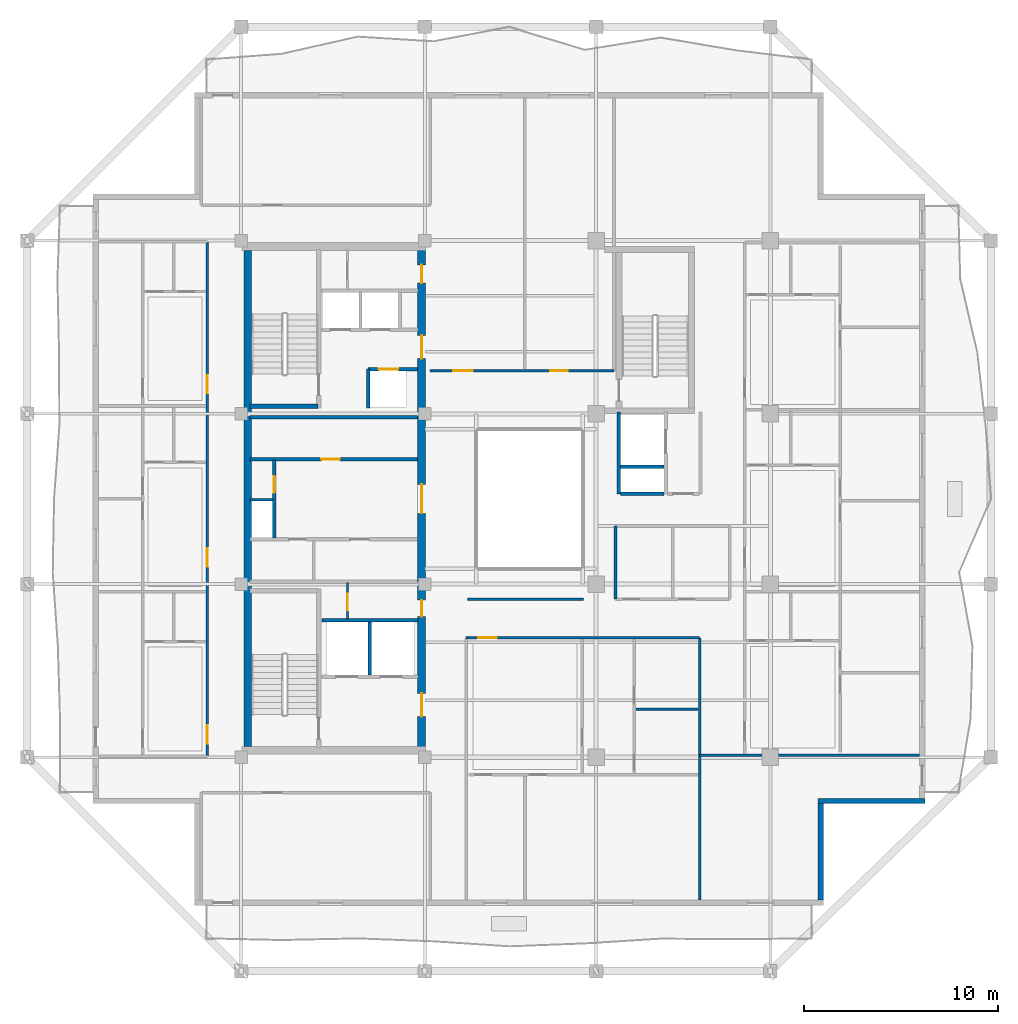
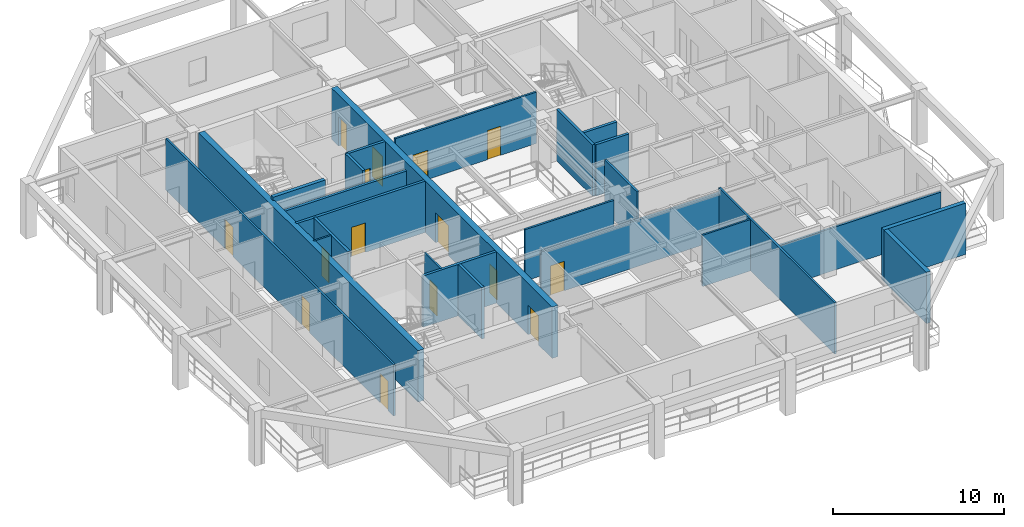
# One storey, part 4 of 13: 25 walls, 15 doors, 15 openings.
"""IFC4 building model written with IfcOpenShell, lengths in metres."""

from ifc_helpers import new_model, si_unit, direction, frame, frame_2d, origin, place, context, subcontext, project, spatial, rectangle, extrude, material, layer, layer_set, type_object, element, fill, save


model = new_model("IFC4")

# Units and contexts
model_context = context("Model", 3, precision=1e-05, world=origin(), true_north=direction((0.0, 1.0)))
body_context = subcontext(model_context, "Body", "Model", "MODEL_VIEW")
ifc_project = project(units=[si_unit("LENGTHUNIT", "METRE"), si_unit("AREAUNIT", "SQUARE_METRE"), si_unit("VOLUMEUNIT", "CUBIC_METRE"), si_unit("PLANEANGLEUNIT", "RADIAN"), si_unit("MASSUNIT", "GRAM", prefix="KILO")], contexts=[model_context])

# Site, building, storey
site_placement = place(None, origin())
site = spatial("IfcSite", under=ifc_project, at=site_placement, CompositionType="ELEMENT")
building_placement = place(site_placement, origin())
building = spatial("IfcBuilding", under=site, at=building_placement, Name="Kundavana Baori Tower", CompositionType="ELEMENT")
storey_placement = place(building_placement, frame((0.0, 0.0, 229.699951171875)))
storey = spatial("IfcBuildingStorey", under=building, at=storey_placement, Name="L56", CompositionType="ELEMENT", Elevation=229.699951171875)

# Wall
ifc_material_1 = material(Name="Concrete C50/60", Category="concrete")
ifc_layer_1 = layer(ifc_material_1, 0.39990234375, Name="WL-CORE-400")
ifc_layer_set_1 = layer_set([ifc_layer_1], Name="Concrete C50/60")
wall_type_1 = type_object("IfcWallType", Name="WL-CORE-400", PredefinedType="SHEAR", material=ifc_layer_set_1)
wall_1_placement = place(storey_placement, frame((15.7900390625, 15.81005859375, 0.0), z_axis=(0.0, 0.0, 1.0), x_axis=(0.0, 1.0, 0.0)))
element("IfcWall", 1, at=wall_1_placement, inside=storey, type_object=wall_type_1, Name="L56 Offset Core West Shear Wall", PredefinedType="SHEAR", context=body_context, shape_type="SweptSolid", body=[
    extrude(rectangle(XDim=25.6298828125, YDim=0.39990234375, at=frame_2d((12.81494140625, 0.0))), origin(), (0.0, 0.0, 1.0), 3.66015625),
])

# Wall, openings, doors
wall_2_placement = place(storey_placement, frame((24.780029296875, 15.739990234375, 0.0), z_axis=(0.0, 0.0, 1.0), x_axis=(0.0, 1.0, 0.0)))
wall_2 = element("IfcWall", 2, at=wall_2_placement, inside=storey, type_object=wall_type_1, Name="L56 Offset Core East Shear Wall", PredefinedType="SHEAR", context=body_context, shape_type="SweptSolid", body=[
    extrude(rectangle(XDim=25.760009765625, YDim=0.39990234375, at=frame_2d((12.8798828125, 0.0))), origin(), (0.0, 0.0, 1.0), 3.66015625),
])
opening_1_placement = place(wall_2_placement, frame((1.610107421875, 0.0, 0.0)))
opening_1 = element("IfcOpeningElement", 3, at=opening_1_placement, cuts=wall_2, Name="Opening FD-120", PredefinedType="OPENING", context=body_context, shape_type="SweptSolid", body=[
    extrude(rectangle(XDim=1.199951171875, YDim=2.10009765625, at=frame_2d((0.60009765625, 1.050048828125))), frame((0.0, 0.2099609375, 0.0), z_axis=(0.0, -1.0, 0.0), x_axis=(1.0, 0.0, 0.0)), (0.0, 0.0, 1.0), 0.419921875),
])
opening_2_placement = place(wall_2_placement, frame((6.780029296875, 0.0, 0.0)))
opening_2 = element("IfcOpeningElement", 4, at=opening_2_placement, cuts=wall_2, Name="Opening FD-085", PredefinedType="OPENING", context=body_context, shape_type="SweptSolid", body=[
    extrude(rectangle(XDim=0.85009765625, YDim=2.06005859375, at=frame_2d((0.425048828125, 1.030029296875))), frame((0.0, 0.2099609375, 0.0), z_axis=(0.0, -1.0, 0.0), x_axis=(1.0, 0.0, 0.0)), (0.0, 0.0, 1.0), 0.419921875),
])
opening_3_placement = place(wall_2_placement, frame((12.110107421875, 0.0, 0.0)))
opening_3 = element("IfcOpeningElement", 5, at=opening_3_placement, cuts=wall_2, Name="Opening FD-150", PredefinedType="OPENING", context=body_context, shape_type="SweptSolid", body=[
    extrude(rectangle(XDim=1.5, YDim=2.1201171875, at=frame_2d((0.75, 1.06005859375))), frame((0.0, 0.2099609375, 0.0), z_axis=(0.0, -1.0, 0.0), x_axis=(1.0, 0.0, 0.0)), (0.0, 0.0, 1.0), 0.419921875),
])
opening_4_placement = place(wall_2_placement, frame((20.110107421875, 0.0, 0.0)))
opening_4 = element("IfcOpeningElement", 6, at=opening_4_placement, cuts=wall_2, Name="Opening FD-122", PredefinedType="OPENING", context=body_context, shape_type="SweptSolid", body=[
    extrude(rectangle(XDim=1.199951171875, YDim=2.1201171875, at=frame_2d((0.60009765625, 1.06005859375))), frame((0.0, 0.2099609375, 0.0), z_axis=(0.0, -1.0, 0.0), x_axis=(1.0, 0.0, 0.0)), (0.0, 0.0, 1.0), 0.419921875),
])
opening_5_placement = place(wall_2_placement, frame((24.010009765625, 0.0, 0.0)))
opening_5 = element("IfcOpeningElement", 7, at=opening_5_placement, cuts=wall_2, Name="Opening FD-095", PredefinedType="OPENING", context=body_context, shape_type="SweptSolid", body=[
    extrude(rectangle(XDim=0.949951171875, YDim=2.10009765625, at=frame_2d((0.47509765625, 1.050048828125))), frame((0.0, 0.2099609375, 0.0), z_axis=(0.0, -1.0, 0.0), x_axis=(1.0, 0.0, 0.0)), (0.0, 0.0, 1.0), 0.419921875),
])
ifc_material_2 = material(Name="Galvanised Steel Fire-Rated Door Leaf", Category="steel")
door_type_1 = type_object("IfcDoorType", Name="DR-FD120-1200", OperationType="NOTDEFINED", PredefinedType="DOOR", material=ifc_material_2)
door_1_placement = place(opening_1_placement, frame((1.199951171875, 0.0, 0.0), z_axis=(0.0, 0.0, 1.0), x_axis=(-1.0, 0.0, 0.0)))
door_1 = element("IfcDoor", 8, at=door_1_placement, inside=storey, type_object=door_type_1, Name="DR-L56-FFLOB-E", OperationType="SINGLE_SWING_RIGHT", OverallHeight=2.10009765625, OverallWidth=1.199951171875, PredefinedType="DOOR", context=body_context, shape_type="SweptSolid", body=[
    extrude(rectangle(XDim=1.199951171875, YDim=2.10009765625, at=frame_2d((0.60009765625, 1.050048828125))), frame((0.0, 0.02490234375, 0.0), z_axis=(0.0, -1.0, 0.0), x_axis=(1.0, 0.0, 0.0)), (0.0, 0.0, 1.0), 0.050048828125),
])
fill(opening_1, door_1)
ifc_material_3 = material(Name="Galvanised Steel Fire-Rated Door Leaf", Category="steel")
door_type_2 = type_object("IfcDoorType", Name="DR-FD60-1200", OperationType="NOTDEFINED", PredefinedType="DOOR", material=ifc_material_3)
door_2_placement = place(opening_4_placement, frame((1.199951171875, 0.0, 0.0), z_axis=(0.0, 0.0, 1.0), x_axis=(-1.0, 0.0, 0.0)))
door_2 = element("IfcDoor", 9, at=door_2_placement, inside=storey, type_object=door_type_2, Name="DR-L56-HRLOB-E", OperationType="SINGLE_SWING_RIGHT", OverallHeight=2.1201171875, OverallWidth=1.199951171875, PredefinedType="DOOR", context=body_context, shape_type="SweptSolid", body=[
    extrude(rectangle(XDim=1.199951171875, YDim=2.1201171875, at=frame_2d((0.60009765625, 1.06005859375))), frame((0.0, 0.02490234375, 0.0), z_axis=(0.0, -1.0, 0.0), x_axis=(1.0, 0.0, 0.0)), (0.0, 0.0, 1.0), 0.050048828125),
])
fill(opening_4, door_2)
ifc_material_4 = material(Name="Galvanised Steel Fire-Rated Door Leaf", Category="steel")
door_type_3 = type_object("IfcDoorType", Name="DR-FD60-1500", OperationType="NOTDEFINED", PredefinedType="DOOR", material=ifc_material_4)
door_3_placement = place(opening_3_placement, frame((1.5, 0.0, 0.0), z_axis=(0.0, 0.0, 1.0), x_axis=(-1.0, 0.0, 0.0)))
door_3 = element("IfcDoor", 10, at=door_3_placement, inside=storey, type_object=door_type_3, Name="DR-L56-LIFTHALL-E", OperationType="SINGLE_SWING_LEFT", OverallHeight=2.1201171875, OverallWidth=1.5, PredefinedType="DOOR", context=body_context, shape_type="SweptSolid", body=[
    extrude(rectangle(XDim=1.5, YDim=2.1201171875, at=frame_2d((0.75, 1.06005859375))), frame((0.0, 0.02490234375, 0.0), z_axis=(0.0, -1.0, 0.0), x_axis=(1.0, 0.0, 0.0)), (0.0, 0.0, 1.0), 0.050048828125),
])
fill(opening_3, door_3)
ifc_material_5 = material(Name="Galvanised Steel Fire-Rated Door Leaf", Category="steel")
door_type_4 = type_object("IfcDoorType", Name="DR-FD60-850", OperationType="NOTDEFINED", PredefinedType="DOOR", material=ifc_material_5)
door_4_placement = place(opening_2_placement, frame((0.85009765625, 0.0, 0.0), z_axis=(0.0, 0.0, 1.0), x_axis=(-1.0, 0.0, 0.0)))
door_4 = element("IfcDoor", 11, at=door_4_placement, inside=storey, type_object=door_type_4, Name="DR-L56-CSMK2", OperationType="SINGLE_SWING_LEFT", OverallHeight=2.06005859375, OverallWidth=0.85009765625, PredefinedType="DOOR", context=body_context, shape_type="SweptSolid", body=[
    extrude(rectangle(XDim=0.85009765625, YDim=2.06005859375, at=frame_2d((0.425048828125, 1.030029296875))), frame((0.0, 0.02490234375, 0.0), z_axis=(0.0, -1.0, 0.0), x_axis=(1.0, 0.0, 0.0)), (0.0, 0.0, 1.0), 0.050048828125),
])
fill(opening_2, door_4)
ifc_material_6 = material(Name="Engineered Teak Fire-Rated Timber Door Leaf", Category="wood")
door_type_5 = type_object("IfcDoorType", Name="DR-FD60-950", OperationType="NOTDEFINED", PredefinedType="DOOR", material=ifc_material_6)
door_5_placement = place(opening_5_placement, frame((0.949951171875, 0.0, 0.0), z_axis=(0.0, 0.0, 1.0), x_axis=(-1.0, 0.0, 0.0)))
door_5 = element("IfcDoor", 12, at=door_5_placement, inside=storey, type_object=door_type_5, Name="DR-L56-CSRV2", OperationType="SINGLE_SWING_LEFT", OverallHeight=2.10009765625, OverallWidth=0.949951171875, PredefinedType="DOOR", context=body_context, shape_type="SweptSolid", body=[
    extrude(rectangle(XDim=0.949951171875, YDim=2.10009765625, at=frame_2d((0.47509765625, 1.050048828125))), frame((0.0, 0.02490234375, 0.0), z_axis=(0.0, -1.0, 0.0), x_axis=(1.0, 0.0, 0.0)), (0.0, 0.0, 1.0), 0.050048828125),
])
fill(opening_5, door_5)

# Walls
wall_3_placement = place(storey_placement, frame((15.89990234375, 33.389892578125, 0.0), z_axis=(0.0, 0.0, 1.0), x_axis=(1.0, 0.0, 0.0)))
element("IfcWall", 13, at=wall_3_placement, inside=storey, type_object=wall_type_1, Name="WL-L56-ST2-S", PredefinedType="SHEAR", context=body_context, shape_type="SweptSolid", body=[
    extrude(rectangle(XDim=3.52001953125, YDim=0.239990234375, at=frame_2d((1.760009765625, 0.0))), origin(), (0.0, 0.0, 1.0), 3.900146484375),
])
ifc_material_7 = material(Name="Red-Buff Dholpur Sandstone Cladding on Concrete C40/50", Category="masonry")
ifc_layer_2 = layer(ifc_material_7, 0.280029296875, Name="WL-EXT-SAND-280")
ifc_layer_set_2 = layer_set([ifc_layer_2], Name="Red-Buff Dholpur Sandstone Cladding on Concrete C40/50")
wall_type_2 = type_object("IfcWallType", Name="WL-EXT-SAND-280", PredefinedType="STANDARD", material=ifc_layer_set_2)
wall_4_placement = place(storey_placement, frame((45.409912109375, 7.8798828125, 0.0), z_axis=(0.0, 0.0, 1.0), x_axis=(0.0, 1.0, 0.0)))
element("IfcWall", 14, at=wall_4_placement, inside=storey, type_object=wall_type_2, Name="L56 Exterior Insulated Facade Wall 02", PredefinedType="STANDARD", context=body_context, shape_type="SweptSolid", body=[
    extrude(rectangle(XDim=4.97021484375, YDim=0.280029296875, at=frame_2d((2.485107421875, 0.0))), origin(), (0.0, 0.0, 1.0), 3.66015625),
])
wall_5_placement = place(storey_placement, frame((45.27001953125, 12.989990234375, 0.0), z_axis=(0.0, 0.0, 1.0), x_axis=(1.0, 0.0, 0.0)))
element("IfcWall", 15, at=wall_5_placement, inside=storey, type_object=wall_type_2, Name="L56 Exterior Insulated Facade Wall 03", PredefinedType="STANDARD", context=body_context, shape_type="SweptSolid", body=[
    extrude(rectangle(XDim=5.530029296875, YDim=0.280029296875, at=frame_2d((2.76513671875, 0.0))), origin(), (0.0, 0.0, 1.0), 3.66015625),
])

# Wall, opening, door
ifc_material_8 = material(Name="Acoustic Gypsum Plasterboard on Galvanised Steel Studs", Category="steel")
ifc_layer_3 = layer(ifc_material_8, 0.1201171875, Name="WL-PART-120")
ifc_layer_set_3 = layer_set([ifc_layer_3], Name="Acoustic Gypsum Plasterboard on Galvanised Steel Studs")
wall_type_3 = type_object("IfcWallType", Name="WL-PART-120", PredefinedType="PARTITIONING", material=ifc_layer_set_3)
wall_6_placement = place(storey_placement, frame((20.949951171875, 22.39990234375, 0.0), z_axis=(0.0, 0.0, 1.0), x_axis=(0.0, 1.0, 0.0)))
wall_6 = element("IfcWall", 16, at=wall_6_placement, inside=storey, type_object=wall_type_3, Name="WL-L56-CSMK-D2", PredefinedType="PARTITIONING", context=body_context, shape_type="SweptSolid", body=[
    extrude(rectangle(XDim=1.880126953125, YDim=0.1201171875, at=frame_2d((0.93994140625, 0.0))), origin(), (0.0, 0.0, 1.0), 3.66015625),
])
opening_6_placement = place(wall_6_placement, frame((0.449951171875, 0.0, 0.0)))
opening_6 = element("IfcOpeningElement", 17, at=opening_6_placement, cuts=wall_6, Name="Opening FD-085", PredefinedType="OPENING", context=body_context, shape_type="SweptSolid", body=[
    extrude(rectangle(XDim=0.85009765625, YDim=2.06005859375, at=frame_2d((0.425048828125, 1.030029296875))), frame((0.0, 0.070068359375, 0.0), z_axis=(0.0, -1.0, 0.0), x_axis=(1.0, 0.0, 0.0)), (0.0, 0.0, 1.0), 0.14013671875),
])
door_6_placement = place(opening_6_placement, origin())
door_6 = element("IfcDoor", 18, at=door_6_placement, inside=storey, type_object=door_type_4, Name="DR-L56-CSMK1", OperationType="SINGLE_SWING_RIGHT", OverallHeight=2.06005859375, OverallWidth=0.85009765625, PredefinedType="DOOR", context=body_context, shape_type="SweptSolid", body=[
    extrude(rectangle(XDim=0.85009765625, YDim=2.06005859375, at=frame_2d((0.425048828125, 1.030029296875))), frame((0.0, 0.02490234375, 0.0), z_axis=(0.0, -1.0, 0.0), x_axis=(1.0, 0.0, 0.0)), (0.0, 0.0, 1.0), 0.050048828125),
])
fill(opening_6, door_6)

# Wall
wall_7_placement = place(storey_placement, frame((15.89990234375, 28.56005859375, 0.0), z_axis=(0.0, 0.0, 1.0), x_axis=(1.0, 0.0, 0.0)))
element("IfcWall", 19, at=wall_7_placement, inside=storey, type_object=wall_type_3, Name="WL-L56-RSRW-N", PredefinedType="PARTITIONING", context=body_context, shape_type="SweptSolid", body=[
    extrude(rectangle(XDim=1.2001953125, YDim=0.1201171875, at=frame_2d((0.60009765625, 0.0))), origin(), (0.0, 0.0, 1.0), 3.66015625),
])

# Wall, opening, door
ifc_material_9 = material(Name="Acoustic Gypsum Plasterboard on Galvanised Steel Studs", Category="steel")
ifc_layer_4 = layer(ifc_material_9, 0.135009765625, Name="WL-PART-135")
ifc_layer_set_4 = layer_set([ifc_layer_4], Name="Acoustic Gypsum Plasterboard on Galvanised Steel Studs")
wall_type_4 = type_object("IfcWallType", Name="WL-PART-135", PredefinedType="PARTITIONING", material=ifc_layer_set_4)
wall_8_placement = place(storey_placement, frame((27.080078125, 21.419921875, 0.0), z_axis=(0.0, 0.0, 1.0), x_axis=(1.0, 0.0, 0.0)))
wall_8 = element("IfcWall", 20, at=wall_8_placement, inside=storey, type_object=wall_type_4, Name="WL-L56-RS", PredefinedType="PARTITIONING", context=body_context, shape_type="SweptSolid", body=[
    extrude(rectangle(XDim=12.06982421875, YDim=0.135009765625, at=frame_2d((6.034912109375, 0.0))), origin(), (0.0, 0.0, 1.0), 3.31005859375),
])
opening_7_placement = place(wall_8_placement, frame((0.6298828125, 0.0, 0.0)))
opening_7 = element("IfcOpeningElement", 21, at=opening_7_placement, cuts=wall_8, Name="Opening FD-095", PredefinedType="OPENING", context=body_context, shape_type="SweptSolid", body=[
    extrude(rectangle(XDim=0.949951171875, YDim=2.10009765625, at=frame_2d((0.47509765625, 1.050048828125))), frame((0.0, 0.07763671875, 0.0), z_axis=(0.0, -1.0, 0.0), x_axis=(1.0, 0.0, 0.0)), (0.0, 0.0, 1.0), 0.155029296875),
])
door_7_placement = place(opening_7_placement, frame((0.949951171875, 0.0, 0.0), z_axis=(0.0, 0.0, 1.0), x_axis=(-1.0, 0.0, 0.0)))
door_7 = element("IfcDoor", 22, at=door_7_placement, inside=storey, type_object=door_type_5, Name="DR-L56-S1-ENT", OperationType="SINGLE_SWING_RIGHT", OverallHeight=2.10009765625, OverallWidth=0.949951171875, PredefinedType="DOOR", context=body_context, shape_type="SweptSolid", body=[
    extrude(rectangle(XDim=0.949951171875, YDim=2.10009765625, at=frame_2d((0.47509765625, 1.050048828125))), frame((0.0, 0.02490234375, 0.0), z_axis=(0.0, -1.0, 0.0), x_axis=(1.0, 0.0, 0.0)), (0.0, 0.0, 1.0), 0.050048828125),
])
fill(opening_7, door_7)

# Wall
wall_9_placement = place(storey_placement, frame((27.14990234375, 23.419921875, 0.0), z_axis=(0.0, 0.0, 1.0), x_axis=(1.0, 0.0, 0.0)))
element("IfcWall", 23, at=wall_9_placement, inside=storey, type_object=wall_type_4, Name="WL-L56-RST", PredefinedType="PARTITIONING", context=body_context, shape_type="SweptSolid", body=[
    extrude(rectangle(XDim=6.0, YDim=0.135009765625, at=frame_2d((3.0, 0.0))), origin(), (0.0, 0.0, 1.0), 3.66015625),
])

# Wall, openings, doors
wall_10_placement = place(storey_placement, frame((25.219970703125, 35.219970703125, 0.0), z_axis=(0.0, 0.0, 1.0), x_axis=(1.0, 0.0, 0.0)))
wall_10 = element("IfcWall", 24, at=wall_10_placement, inside=storey, type_object=wall_type_4, Name="WL-L56-RN", PredefinedType="PARTITIONING", context=body_context, shape_type="SweptSolid", body=[
    extrude(rectangle(XDim=9.5, YDim=0.135009765625, at=frame_2d((4.75, 0.0))), origin(), (0.0, 0.0, 1.0), 3.66015625),
])
opening_8_placement = place(wall_10_placement, frame((1.199951171875, 0.0, 0.0)))
opening_8 = element("IfcOpeningElement", 25, at=opening_8_placement, cuts=wall_10, Name="Opening ID-100", PredefinedType="OPENING", context=body_context, shape_type="SweptSolid", body=[
    extrude(rectangle(XDim=1.0, YDim=2.080078125, at=frame_2d((0.5, 1.0400390625))), frame((0.0, 0.07763671875, 0.0), z_axis=(0.0, -1.0, 0.0), x_axis=(1.0, 0.0, 0.0)), (0.0, 0.0, 1.0), 0.155029296875),
])
opening_9_placement = place(wall_10_placement, frame((6.199951171875, 0.0, 0.0)))
opening_9 = element("IfcOpeningElement", 26, at=opening_9_placement, cuts=wall_10, Name="Opening ID-090", PredefinedType="OPENING", context=body_context, shape_type="SweptSolid", body=[
    extrude(rectangle(XDim=0.89990234375, YDim=2.080078125, at=frame_2d((0.449951171875, 1.0400390625))), frame((0.0, 0.07763671875, 0.0), z_axis=(0.0, -1.0, 0.0), x_axis=(1.0, 0.0, 0.0)), (0.0, 0.0, 1.0), 0.155029296875),
])
ifc_material_10 = material(Name="Engineered Teak Solid-Core Timber Veneer", Category="wood")
door_type_6 = type_object("IfcDoorType", Name="DR-INT-1000", OperationType="NOTDEFINED", PredefinedType="DOOR", material=ifc_material_10)
door_8_placement = place(opening_8_placement, origin())
door_8 = element("IfcDoor", 27, at=door_8_placement, inside=storey, type_object=door_type_6, Name="DR-L56-RLN1", OperationType="SINGLE_SWING_LEFT", OverallHeight=2.080078125, OverallWidth=1.0, PredefinedType="DOOR", context=body_context, shape_type="SweptSolid", body=[
    extrude(rectangle(XDim=1.0, YDim=2.080078125, at=frame_2d((0.5, 1.0400390625))), frame((0.0, 0.02490234375, 0.0), z_axis=(0.0, -1.0, 0.0), x_axis=(1.0, 0.0, 0.0)), (0.0, 0.0, 1.0), 0.050048828125),
])
fill(opening_8, door_8)
ifc_material_11 = material(Name="Engineered Teak Solid-Core Timber Veneer", Category="wood")
door_type_7 = type_object("IfcDoorType", Name="DR-INT-900", OperationType="NOTDEFINED", PredefinedType="DOOR", material=ifc_material_11)
door_9_placement = place(opening_9_placement, origin())
door_9 = element("IfcDoor", 28, at=door_9_placement, inside=storey, type_object=door_type_7, Name="DR-L56-RLN2", OperationType="SINGLE_SWING_RIGHT", OverallHeight=2.080078125, OverallWidth=0.89990234375, PredefinedType="DOOR", context=body_context, shape_type="SweptSolid", body=[
    extrude(rectangle(XDim=0.89990234375, YDim=2.080078125, at=frame_2d((0.449951171875, 1.0400390625))), frame((0.0, 0.02490234375, 0.0), z_axis=(0.0, -1.0, 0.0), x_axis=(1.0, 0.0, 0.0)), (0.0, 0.0, 1.0), 0.050048828125),
])
fill(opening_9, door_9)

wall_11_placement = place(storey_placement, frame((13.699951171875, 15.300048828125, 0.0), z_axis=(0.0, 0.0, 1.0), x_axis=(0.0, 1.0, 0.0)))
wall_11 = element("IfcWall", 29, at=wall_11_placement, inside=storey, type_object=wall_type_4, Name="WL-L56-RW", PredefinedType="PARTITIONING", context=body_context, shape_type="SweptSolid", body=[
    extrude(rectangle(XDim=26.599853515625, YDim=0.135009765625, at=frame_2d((13.2998046875, 0.0))), origin(), (0.0, 0.0, 1.0), 3.66015625),
])
opening_10_placement = place(wall_11_placement, frame((0.64990234375, 0.0, 0.0)))
opening_10 = element("IfcOpeningElement", 30, at=opening_10_placement, cuts=wall_11, Name="Opening FD-095", PredefinedType="OPENING", context=body_context, shape_type="SweptSolid", body=[
    extrude(rectangle(XDim=0.949951171875, YDim=2.10009765625, at=frame_2d((0.47509765625, 1.050048828125))), frame((0.0, 0.07763671875, 0.0), z_axis=(0.0, -1.0, 0.0), x_axis=(1.0, 0.0, 0.0)), (0.0, 0.0, 1.0), 0.155029296875),
])
opening_11_placement = place(wall_11_placement, frame((9.800048828125, 0.0, 0.0)))
opening_11 = element("IfcOpeningElement", 31, at=opening_11_placement, cuts=wall_11, Name="Opening FD-095", PredefinedType="OPENING", context=body_context, shape_type="SweptSolid", body=[
    extrude(rectangle(XDim=0.949951171875, YDim=2.10009765625, at=frame_2d((0.47509765625, 1.050048828125))), frame((0.0, 0.07763671875, 0.0), z_axis=(0.0, -1.0, 0.0), x_axis=(1.0, 0.0, 0.0)), (0.0, 0.0, 1.0), 0.155029296875),
])
opening_12_placement = place(wall_11_placement, frame((18.75, 0.0, 0.0)))
opening_12 = element("IfcOpeningElement", 32, at=opening_12_placement, cuts=wall_11, Name="Opening FD-095", PredefinedType="OPENING", context=body_context, shape_type="SweptSolid", body=[
    extrude(rectangle(XDim=0.949951171875, YDim=2.10009765625, at=frame_2d((0.47509765625, 1.050048828125))), frame((0.0, 0.07763671875, 0.0), z_axis=(0.0, -1.0, 0.0), x_axis=(1.0, 0.0, 0.0)), (0.0, 0.0, 1.0), 0.155029296875),
])
door_10_placement = place(opening_10_placement, frame((0.949951171875, 0.0, 0.0), z_axis=(0.0, 0.0, 1.0), x_axis=(-1.0, 0.0, 0.0)))
door_10 = element("IfcDoor", 33, at=door_10_placement, inside=storey, type_object=door_type_5, Name="DR-L56-W1-ENT", OperationType="SINGLE_SWING_LEFT", OverallHeight=2.10009765625, OverallWidth=0.949951171875, PredefinedType="DOOR", context=body_context, shape_type="SweptSolid", body=[
    extrude(rectangle(XDim=0.949951171875, YDim=2.10009765625, at=frame_2d((0.47509765625, 1.050048828125))), frame((0.0, 0.02490234375, 0.0), z_axis=(0.0, -1.0, 0.0), x_axis=(1.0, 0.0, 0.0)), (0.0, 0.0, 1.0), 0.050048828125),
])
fill(opening_10, door_10)
door_11_placement = place(opening_11_placement, frame((0.949951171875, 0.0, 0.0), z_axis=(0.0, 0.0, 1.0), x_axis=(-1.0, 0.0, 0.0)))
door_11 = element("IfcDoor", 34, at=door_11_placement, inside=storey, type_object=door_type_5, Name="DR-L56-W2-ENT", OperationType="SINGLE_SWING_LEFT", OverallHeight=2.10009765625, OverallWidth=0.949951171875, PredefinedType="DOOR", context=body_context, shape_type="SweptSolid", body=[
    extrude(rectangle(XDim=0.949951171875, YDim=2.10009765625, at=frame_2d((0.47509765625, 1.050048828125))), frame((0.0, 0.02490234375, 0.0), z_axis=(0.0, -1.0, 0.0), x_axis=(1.0, 0.0, 0.0)), (0.0, 0.0, 1.0), 0.050048828125),
])
fill(opening_11, door_11)
door_12_placement = place(opening_12_placement, frame((0.949951171875, 0.0, 0.0), z_axis=(0.0, 0.0, 1.0), x_axis=(-1.0, 0.0, 0.0)))
door_12 = element("IfcDoor", 35, at=door_12_placement, inside=storey, type_object=door_type_5, Name="DR-L56-W3-ENT", OperationType="SINGLE_SWING_LEFT", OverallHeight=2.10009765625, OverallWidth=0.949951171875, PredefinedType="DOOR", context=body_context, shape_type="SweptSolid", body=[
    extrude(rectangle(XDim=0.949951171875, YDim=2.10009765625, at=frame_2d((0.47509765625, 1.050048828125))), frame((0.0, 0.02490234375, 0.0), z_axis=(0.0, -1.0, 0.0), x_axis=(1.0, 0.0, 0.0)), (0.0, 0.0, 1.0), 0.050048828125),
])
fill(opening_12, door_12)

# Walls
wall_12_placement = place(storey_placement, frame((39.14990234375, 7.8798828125, 0.0), z_axis=(0.0, 0.0, 1.0), x_axis=(0.0, 1.0, 0.0)))
element("IfcWall", 36, at=wall_12_placement, inside=storey, type_object=wall_type_4, Name="WL-L56-RSEND", PredefinedType="PARTITIONING", context=body_context, shape_type="SweptSolid", body=[
    extrude(rectangle(XDim=13.5400390625, YDim=0.135009765625, at=frame_2d((6.77001953125, 0.0))), origin(), (0.0, 0.0, 1.0), 3.66015625),
])
wall_13_placement = place(storey_placement, frame((39.14990234375, 15.35009765625, 0.0), z_axis=(0.0, 0.0, 1.0), x_axis=(1.0, 0.0, 0.0)))
element("IfcWall", 37, at=wall_13_placement, inside=storey, type_object=wall_type_4, Name="WL-L56-RES", PredefinedType="PARTITIONING", context=body_context, shape_type="SweptSolid", body=[
    extrude(rectangle(XDim=11.3701171875, YDim=0.135009765625, at=frame_2d((5.68505859375, 0.0))), origin(), (0.0, 0.0, 1.0), 3.06005859375),
])
wall_14_placement = place(storey_placement, frame((34.800048828125, 23.419921875, 0.0), z_axis=(0.0, 0.0, 1.0), x_axis=(0.0, 1.0, 0.0)))
element("IfcWall", 38, at=wall_14_placement, inside=storey, type_object=wall_type_4, Name="WL-L56-ALW", PredefinedType="PARTITIONING", context=body_context, shape_type="SweptSolid", body=[
    extrude(rectangle(XDim=3.780029296875, YDim=0.135009765625, at=frame_2d((1.89013671875, 0.0))), origin(), (0.0, 0.0, 1.0), 3.66015625),
])
ifc_material_12 = material(Name="Autoclaved Aerated Concrete Blockwork Masonry", Category="masonry")
ifc_layer_5 = layer(ifc_material_12, 0.179931640625, Name="WL-SHAFT-180")
ifc_layer_set_5 = layer_set([ifc_layer_5], Name="Autoclaved Aerated Concrete Blockwork Masonry")
wall_type_5 = type_object("IfcWallType", Name="WL-SHAFT-180", PredefinedType="SOLIDWALL", material=ifc_layer_set_5)
wall_15_placement = place(storey_placement, frame((22.10009765625, 19.510009765625, 0.0), z_axis=(0.0, 0.0, 1.0), x_axis=(0.0, 1.0, 0.0)))
element("IfcWall", 39, at=wall_15_placement, inside=storey, type_object=wall_type_5, Name="WL-L56-FFL-MID", PredefinedType="SOLIDWALL", context=body_context, shape_type="SweptSolid", body=[
    extrude(rectangle(XDim=2.739990234375, YDim=0.179931640625, at=frame_2d((1.3701171875, 0.0))), origin(), (0.0, 0.0, 1.0), 3.66015625),
])
wall_16_placement = place(storey_placement, frame((19.639892578125, 22.340087890625, 0.0), z_axis=(0.0, 0.0, 1.0), x_axis=(1.0, 0.0, 0.0)))
element("IfcWall", 40, at=wall_16_placement, inside=storey, type_object=wall_type_5, Name="WL-L56-FFL-N", PredefinedType="SOLIDWALL", context=body_context, shape_type="SweptSolid", body=[
    extrude(rectangle(XDim=4.940185546875, YDim=0.179931640625, at=frame_2d((2.47021484375, 0.0))), origin(), (0.0, 0.0, 1.0), 3.66015625),
])

# Wall, opening, door
wall_17_placement = place(storey_placement, frame((17.159912109375, 26.580078125, 0.0), z_axis=(0.0, 0.0, 1.0), x_axis=(0.0, 1.0, 0.0)))
wall_17 = element("IfcWall", 41, at=wall_17_placement, inside=storey, type_object=wall_type_5, Name="WL-L56-RSRW-E", PredefinedType="SOLIDWALL", context=body_context, shape_type="SweptSolid", body=[
    extrude(rectangle(XDim=4.02001953125, YDim=0.179931640625, at=frame_2d((2.010009765625, 0.0))), origin(), (0.0, 0.0, 1.0), 3.66015625),
])
opening_13_placement = place(wall_17_placement, frame((2.35009765625, 0.0, 0.0)))
opening_13 = element("IfcOpeningElement", 42, at=opening_13_placement, cuts=wall_17, Name="Opening FD-085", PredefinedType="OPENING", context=body_context, shape_type="SweptSolid", body=[
    extrude(rectangle(XDim=0.85009765625, YDim=2.06005859375, at=frame_2d((0.425048828125, 1.030029296875))), frame((0.0, 0.10009765625, 0.0), z_axis=(0.0, -1.0, 0.0), x_axis=(1.0, 0.0, 0.0)), (0.0, 0.0, 1.0), 0.199951171875),
])
door_13_placement = place(opening_13_placement, origin())
door_13 = element("IfcDoor", 43, at=door_13_placement, inside=storey, type_object=door_type_4, Name="DR-L56-CLN", OperationType="SINGLE_SWING_RIGHT", OverallHeight=2.06005859375, OverallWidth=0.85009765625, PredefinedType="DOOR", context=body_context, shape_type="SweptSolid", body=[
    extrude(rectangle(XDim=0.85009765625, YDim=2.06005859375, at=frame_2d((0.425048828125, 1.030029296875))), frame((0.0, 0.02490234375, 0.0), z_axis=(0.0, -1.0, 0.0), x_axis=(1.0, 0.0, 0.0)), (0.0, 0.0, 1.0), 0.050048828125),
])
fill(opening_13, door_13)

wall_18_placement = place(storey_placement, frame((15.89990234375, 30.639892578125, 0.0), z_axis=(0.0, 0.0, 1.0), x_axis=(1.0, 0.0, 0.0)))
wall_18 = element("IfcWall", 44, at=wall_18_placement, inside=storey, type_object=wall_type_5, Name="WL-L56-LPMID-S", PredefinedType="SOLIDWALL", context=body_context, shape_type="SweptSolid", body=[
    extrude(rectangle(XDim=8.68017578125, YDim=0.179931640625, at=frame_2d((4.340087890625, 0.0))), origin(), (0.0, 0.0, 1.0), 3.66015625),
])
opening_14_placement = place(wall_18_placement, frame((3.699951171875, 0.0, 0.0)))
opening_14 = element("IfcOpeningElement", 45, at=opening_14_placement, cuts=wall_18, Name="Opening FD-095", PredefinedType="OPENING", context=body_context, shape_type="SweptSolid", body=[
    extrude(rectangle(XDim=0.949951171875, YDim=2.10009765625, at=frame_2d((0.47509765625, 1.050048828125))), frame((0.0, 0.10009765625, 0.0), z_axis=(0.0, -1.0, 0.0), x_axis=(1.0, 0.0, 0.0)), (0.0, 0.0, 1.0), 0.199951171875),
])
door_14_placement = place(opening_14_placement, frame((0.949951171875, 0.0, 0.0), z_axis=(0.0, 0.0, 1.0), x_axis=(-1.0, 0.0, 0.0)))
door_14 = element("IfcDoor", 46, at=door_14_placement, inside=storey, type_object=door_type_5, Name="DR-L56-FRMID1", OperationType="SINGLE_SWING_RIGHT", OverallHeight=2.10009765625, OverallWidth=0.949951171875, PredefinedType="DOOR", context=body_context, shape_type="SweptSolid", body=[
    extrude(rectangle(XDim=0.949951171875, YDim=2.10009765625, at=frame_2d((0.47509765625, 1.050048828125))), frame((0.0, 0.02490234375, 0.0), z_axis=(0.0, -1.0, 0.0), x_axis=(1.0, 0.0, 0.0)), (0.0, 0.0, 1.0), 0.050048828125),
])
fill(opening_14, door_14)

# Wall
wall_19_placement = place(storey_placement, frame((15.89990234375, 32.820068359375, 0.0), z_axis=(0.0, 0.0, 1.0), x_axis=(1.0, 0.0, 0.0)))
element("IfcWall", 47, at=wall_19_placement, inside=storey, type_object=wall_type_5, Name="WL-L56-LPMID-N", PredefinedType="SOLIDWALL", context=body_context, shape_type="SweptSolid", body=[
    extrude(rectangle(XDim=8.68017578125, YDim=0.179931640625, at=frame_2d((4.340087890625, 0.0))), origin(), (0.0, 0.0, 1.0), 3.06005859375),
])

# Wall, opening, door
wall_20_placement = place(storey_placement, frame((22.02001953125, 35.31005859375, 0.0), z_axis=(0.0, 0.0, 1.0), x_axis=(1.0, 0.0, 0.0)))
wall_20 = element("IfcWall", 48, at=wall_20_placement, inside=storey, type_object=wall_type_5, Name="WL-L56-LP11-N", PredefinedType="SOLIDWALL", context=body_context, shape_type="SweptSolid", body=[
    extrude(rectangle(XDim=2.56005859375, YDim=0.179931640625, at=frame_2d((1.280029296875, 0.0))), origin(), (0.0, 0.0, 1.0), 3.66015625),
])
opening_15_placement = place(wall_20_placement, frame((0.550048828125, 0.0, 0.0)))
opening_15 = element("IfcOpeningElement", 49, at=opening_15_placement, cuts=wall_20, Name="Opening LD-100", PredefinedType="OPENING", context=body_context, shape_type="SweptSolid", body=[
    extrude(rectangle(XDim=1.0, YDim=2.10009765625, at=frame_2d((0.5, 1.050048828125))), frame((0.0, 0.10009765625, 0.0), z_axis=(0.0, -1.0, 0.0), x_axis=(1.0, 0.0, 0.0)), (0.0, 0.0, 1.0), 0.199951171875),
])
ifc_material_13 = material(Name="Galvanised Steel Fire-Rated Door Leaf", Category="steel")
door_type_8 = type_object("IfcDoorType", Name="DR-SLIDE-LD1000", OperationType="NOTDEFINED", PredefinedType="DOOR", material=ifc_material_13)
door_15_placement = place(opening_15_placement, origin())
door_15 = element("IfcDoor", 50, at=door_15_placement, inside=storey, type_object=door_type_8, Name="DR-L56-LD-LP11", OperationType="DOUBLE_DOOR_SLIDING", OverallHeight=2.10009765625, OverallWidth=1.0, PredefinedType="DOOR", context=body_context, shape_type="SweptSolid", body=[
    extrude(rectangle(XDim=1.0, YDim=2.10009765625, at=frame_2d((0.5, 1.050048828125))), frame((0.0, 0.02490234375, 0.0), z_axis=(0.0, -1.0, 0.0), x_axis=(1.0, 0.0, 0.0)), (0.0, 0.0, 1.0), 0.050048828125),
])
fill(opening_15, door_15)

# Walls
wall_21_placement = place(storey_placement, frame((22.02001953125, 33.300048828125, 0.0), z_axis=(0.0, 0.0, 1.0), x_axis=(0.0, 1.0, 0.0)))
element("IfcWall", 51, at=wall_21_placement, inside=storey, type_object=wall_type_5, Name="WL-L56-LP11-W", PredefinedType="SOLIDWALL", context=body_context, shape_type="SweptSolid", body=[
    extrude(rectangle(XDim=2.010009765625, YDim=0.179931640625, at=frame_2d((1.0048828125, 0.0))), origin(), (0.0, 0.0, 1.0), 3.66015625),
])
wall_22_placement = place(storey_placement, frame((34.9599609375, 28.860107421875, 0.0), z_axis=(0.0, 0.0, 1.0), x_axis=(0.0, 1.0, 0.0)))
element("IfcWall", 52, at=wall_22_placement, inside=storey, type_object=wall_type_5, Name="WL-L56-SVL-W", PredefinedType="SOLIDWALL", context=body_context, shape_type="SweptSolid", body=[
    extrude(rectangle(XDim=4.219970703125, YDim=0.179931640625, at=frame_2d((2.10986328125, 0.0))), origin(), (0.0, 0.0, 1.0), 3.66015625),
])
for number, where, z_axis, x_axis, name in (
    (53, (35.050048828125, 28.860107421875, 0.0), (0.0, 0.0, 1.0), (1.0, 0.0, 0.0), "WL-L56-SVL-S"),
    (54, (35.050048828125, 30.27001953125, 0.0), (0.0, 0.0, 1.0), (1.0, 0.0, 0.0), "WL-L56-SVL-M"),
):
    element("IfcWall", number, at=place(storey_placement, frame(where, z_axis=z_axis, x_axis=x_axis)), inside=storey, type_object=wall_type_5, Name=name, PredefinedType="SOLIDWALL", context=body_context, shape_type="SweptSolid", body=[
        extrude(rectangle(XDim=2.25, YDim=0.179931640625, at=frame_2d((1.125, 0.0))), origin(), (0.0, 0.0, 1.0), 3.66015625),
    ])
ifc_material_14 = material(Name="Autoclaved Aerated Concrete Blockwork Masonry", Category="masonry")
ifc_layer_6 = layer(ifc_material_14, 0.125, Name="WL-WET-120")
ifc_layer_set_6 = layer_set([ifc_layer_6], Name="Autoclaved Aerated Concrete Blockwork Masonry")
wall_type_6 = type_object("IfcWallType", Name="WL-WET-120", PredefinedType="PLUMBINGWALL", material=ifc_layer_set_6)
wall_23_placement = place(storey_placement, frame((35.85009765625, 17.741943359375, 0.0), z_axis=(0.0, 0.0, 1.0), x_axis=(1.0, 0.0, 0.0)))
element("IfcWall", 55, at=wall_23_placement, inside=storey, type_object=wall_type_6, Name="WL-L56-S1-BT", PredefinedType="PLUMBINGWALL", context=body_context, shape_type="SweptSolid", body=[
    extrude(rectangle(XDim=3.219970703125, YDim=0.125, at=frame_2d((1.60986328125, 0.0))), origin(), (0.0, 0.0, 1.0), 3.66015625),
])

save(model, "model.ifc")
